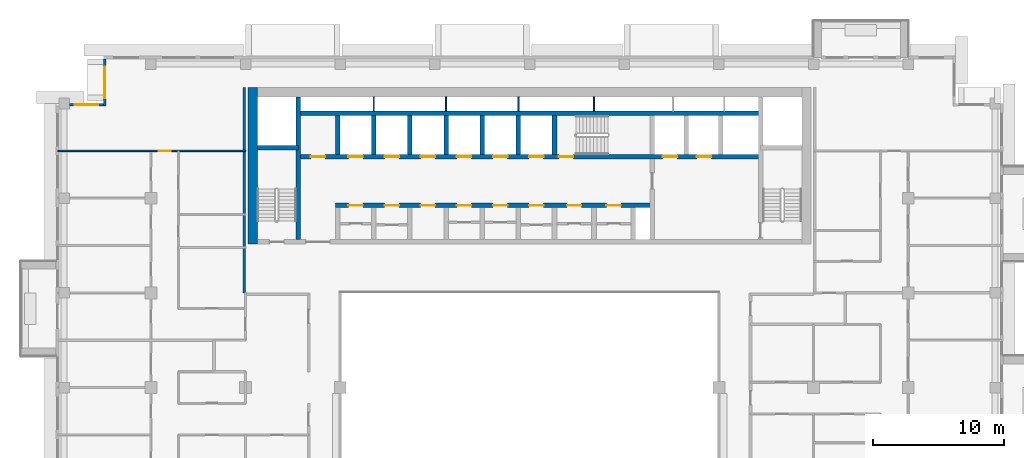
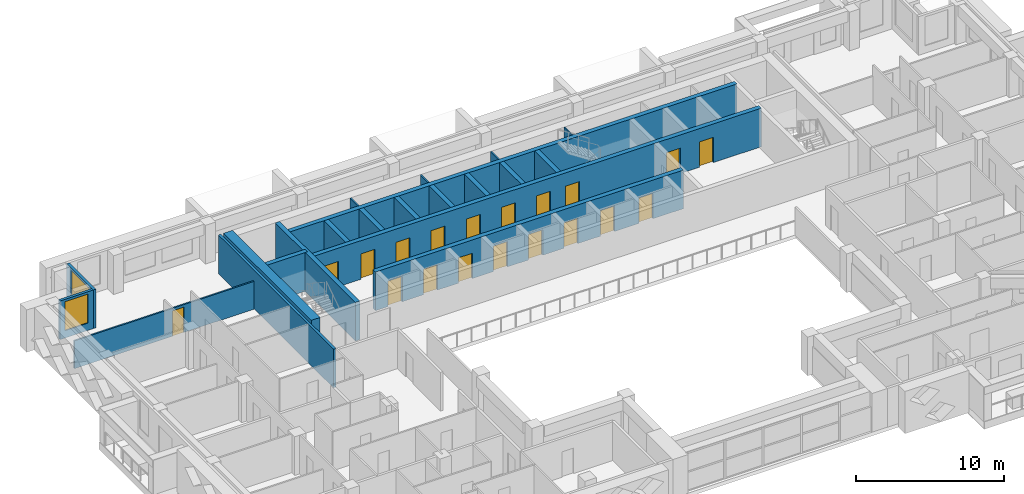
# One storey, part 10 of 20: 21 walls, 19 doors, 2 windows, 21 openings.
"""IFC4 building model written with IfcOpenShell, lengths in metres."""

from ifc_helpers import new_model, si_unit, direction, frame, frame_2d, origin, place, context, subcontext, project, spatial, rectangle, extrude, material, layer, layer_set, type_object, element, fill, save


model = new_model("IFC4")

# Units and contexts
model_context = context("Model", 3, precision=1e-05, world=origin(), true_north=direction((0.0, 1.0)))
body_context = subcontext(model_context, "Body", "Model", "MODEL_VIEW")
ifc_project = project(units=[si_unit("LENGTHUNIT", "METRE"), si_unit("AREAUNIT", "SQUARE_METRE"), si_unit("VOLUMEUNIT", "CUBIC_METRE"), si_unit("PLANEANGLEUNIT", "RADIAN"), si_unit("MASSUNIT", "GRAM", prefix="KILO")], contexts=[model_context])

# Site, building, storey
site_placement = place(None, origin())
site = spatial("IfcSite", under=ifc_project, at=site_placement, CompositionType="ELEMENT")
building_placement = place(site_placement, origin())
building = spatial("IfcBuilding", under=site, at=building_placement, Name="Saffron Iwan Residences", CompositionType="ELEMENT")
storey_placement = place(building_placement, frame((0.0, 0.0, 188.5)))
storey = spatial("IfcBuildingStorey", under=building, at=storey_placement, Name="L50", CompositionType="ELEMENT", Elevation=188.5)

# Wall, opening, window
ifc_material_1 = material(Name="Concrete C40/50", Category="concrete")
ifc_layer_1 = layer(ifc_material_1, 0.199951171875)
ifc_layer_set_1 = layer_set([ifc_layer_1], Name="Concrete C40/50")
wall_type_1 = type_object("IfcWallType", Name="EXTERNAL WALL 200", PredefinedType="SOLIDWALL", material=ifc_layer_set_1)
wall_1_placement = place(storey_placement, frame((18.10009765625, 80.199951171875, 0.0), z_axis=(0.0, 0.0, 1.0), x_axis=(0.0, -1.0, 0.0)))
wall_1 = element("IfcWall", 1, at=wall_1_placement, inside=storey, type_object=wall_type_1, Name="External wall L50 F6.0", PredefinedType="SOLIDWALL", context=body_context, shape_type="SweptSolid", body=[
    extrude(rectangle(XDim=3.599853515625, YDim=0.199951171875, at=frame_2d((1.7998046875, 0.0))), origin(), (0.0, 0.0, 1.0), 3.199951171875),
])
opening_1_placement = place(wall_1_placement, frame((0.60009765625, 0.0, 0.60009765625)))
opening_1 = element("IfcOpeningElement", 2, at=opening_1_placement, cuts=wall_1, Name="Opening W1", PredefinedType="OPENING", context=body_context, shape_type="SweptSolid", body=[
    extrude(rectangle(XDim=2.39990234375, YDim=2.39990234375, at=frame_2d((1.199951171875, 1.199951171875))), frame((0.0, 0.10986328125, 0.0), z_axis=(0.0, -1.0, 0.0), x_axis=(1.0, 0.0, 0.0)), (0.0, 0.0, 1.0), 0.219970703125),
])
ifc_material_2 = material(Name="Clear glass, laminated double glazed", Category="glass")
window_type_1 = type_object("IfcWindowType", Name="WINDOW 2400 x 2400", PartitioningType="DOUBLE_PANEL_VERTICAL", PredefinedType="WINDOW", material=ifc_material_2)
window_1_placement = place(opening_1_placement, origin())
window_1 = element("IfcWindow", 3, at=window_1_placement, inside=storey, type_object=window_type_1, Name="Window L50 F6.0", OverallHeight=2.39990234375, OverallWidth=2.39990234375, PartitioningType="DOUBLE_PANEL_VERTICAL", PredefinedType="WINDOW", context=body_context, shape_type="SweptSolid", body=[
    extrude(rectangle(XDim=2.39990234375, YDim=2.39990234375, at=frame_2d((1.199951171875, 1.199951171875))), frame((0.0, 0.030029296875, 0.0), z_axis=(0.0, -1.0, 0.0), x_axis=(1.0, 0.0, 0.0)), (0.0, 0.0, 1.0), 0.06005859375),
])
fill(opening_1, window_1)

wall_2_placement = place(storey_placement, frame((18.0, 76.699951171875, 0.0), z_axis=(0.0, 0.0, 1.0), x_axis=(-1.0, 0.0, 0.0)))
wall_2 = element("IfcWall", 4, at=wall_2_placement, inside=storey, type_object=wall_type_1, Name="External wall L50 F7.0", PredefinedType="SOLIDWALL", context=body_context, shape_type="SweptSolid", body=[
    extrude(rectangle(XDim=2.60009765625, YDim=0.199951171875, at=frame_2d((1.300048828125, 0.0))), origin(), (0.0, 0.0, 1.0), 3.199951171875),
])
opening_2_placement = place(wall_2_placement, frame((0.39990234375, 0.0, 0.60009765625)))
opening_2 = element("IfcOpeningElement", 5, at=opening_2_placement, cuts=wall_2, Name="Opening W8", PredefinedType="OPENING", context=body_context, shape_type="SweptSolid", body=[
    extrude(rectangle(XDim=1.800048828125, YDim=2.39990234375, at=frame_2d((0.89990234375, 1.199951171875))), frame((0.0, 0.10986328125, 0.0), z_axis=(0.0, -1.0, 0.0), x_axis=(1.0, 0.0, 0.0)), (0.0, 0.0, 1.0), 0.219970703125),
])
window_type_2 = type_object("IfcWindowType", Name="WINDOW 1800 x 2400", PartitioningType="DOUBLE_PANEL_VERTICAL", PredefinedType="WINDOW", material=ifc_material_2)
window_2_placement = place(opening_2_placement, origin())
window_2 = element("IfcWindow", 6, at=window_2_placement, inside=storey, type_object=window_type_2, Name="Window L50 F7.0", OverallHeight=2.39990234375, OverallWidth=1.800048828125, PartitioningType="DOUBLE_PANEL_VERTICAL", PredefinedType="WINDOW", context=body_context, shape_type="SweptSolid", body=[
    extrude(rectangle(XDim=1.800048828125, YDim=2.39990234375, at=frame_2d((0.89990234375, 1.199951171875))), frame((0.0, 0.030029296875, 0.0), z_axis=(0.0, -1.0, 0.0), x_axis=(1.0, 0.0, 0.0)), (0.0, 0.0, 1.0), 0.06005859375),
])
fill(opening_2, window_2)

# Wall, opening, door
ifc_material_3 = material(Name="Gypsum board partition")
ifc_layer_2 = layer(ifc_material_3, 0.1201171875)
ifc_layer_set_2 = layer_set([ifc_layer_2], Name="Gypsum board partition")
wall_type_2 = type_object("IfcWallType", Name="Flat partition 120", PredefinedType="PARTITIONING", material=ifc_layer_set_2)
wall_3_placement = place(storey_placement, frame((14.52490234375, 73.199951171875, 0.0), z_axis=(0.0, 0.0, 1.0), x_axis=(1.0, 0.0, 0.0)))
wall_3 = element("IfcWall", 7, at=wall_3_placement, inside=storey, type_object=wall_type_2, Name="W-L50-PART-h73.2-14.525", PredefinedType="PARTITIONING", context=body_context, shape_type="SweptSolid", body=[
    extrude(rectangle(XDim=14.275146484375, YDim=0.1201171875, at=frame_2d((7.1376953125, 0.0))), origin(), (0.0, 0.0, 1.0), 2.300048828125),
])
opening_3_placement = place(wall_3_placement, frame((7.675048828125, 0.0, 0.0)))
opening_3 = element("IfcOpeningElement", 8, at=opening_3_placement, cuts=wall_3, Name="Opening FD2", PredefinedType="OPENING", context=body_context, shape_type="SweptSolid", body=[
    extrude(rectangle(XDim=0.89990234375, YDim=2.10009765625, at=frame_2d((0.449951171875, 1.050048828125))), frame((0.0, 0.070068359375, 0.0), z_axis=(0.0, -1.0, 0.0), x_axis=(1.0, 0.0, 0.0)), (0.0, 0.0, 1.0), 0.14013671875),
])
ifc_material_4 = material(Name="Timber door", Category="wood")
door_type_1 = type_object("IfcDoorType", Name="Flat door 900", OperationType="NOTDEFINED", PredefinedType="DOOR", material=ifc_material_4)
door_1_placement = place(opening_3_placement, origin())
door_1 = element("IfcDoor", 9, at=door_1_placement, inside=storey, type_object=door_type_1, Name="Door L50-030", OperationType="SINGLE_SWING_LEFT", OverallHeight=2.10009765625, OverallWidth=0.89990234375, PredefinedType="DOOR", context=body_context, shape_type="SweptSolid", body=[
    extrude(rectangle(XDim=0.89990234375, YDim=2.10009765625, at=frame_2d((0.449951171875, 1.050048828125))), frame((0.0, 0.02490234375, 0.0), z_axis=(0.0, -1.0, 0.0), x_axis=(1.0, 0.0, 0.0)), (0.0, 0.0, 1.0), 0.050048828125),
])
fill(opening_3, door_1)

# Walls
ifc_material_5 = material(Name="Fire-rated gypsum board wall")
ifc_layer_3 = layer(ifc_material_5, 0.199951171875)
ifc_layer_set_3 = layer_set([ifc_layer_3], Name="Fire-rated gypsum board wall")
wall_type_3 = type_object("IfcWallType", Name="Gallery wall 200", PredefinedType="SOLIDWALL", material=ifc_layer_set_3)
wall_4_placement = place(storey_placement, frame((28.699951171875, 62.39990234375, 0.0), z_axis=(0.0, 0.0, 1.0), x_axis=(0.0, 1.0, 0.0)))
element("IfcWall", 10, at=wall_4_placement, inside=storey, type_object=wall_type_3, Name="W-L50-CORR-v28.8-62.4", PredefinedType="SOLIDWALL", context=body_context, shape_type="SweptSolid", body=[
    extrude(rectangle(XDim=15.60009765625, YDim=0.199951171875, at=frame_2d((7.800048828125, 0.0))), origin(), (0.0, 0.0, 1.0), 3.199951171875),
])
ifc_material_6 = material(Name="Fire-rated plasterboard partition")
ifc_layer_4 = layer(ifc_material_6, 0.10009765625)
ifc_layer_set_4 = layer_set([ifc_layer_4], Name="Fire-rated plasterboard partition")
wall_type_4 = type_object("IfcWallType", Name="Riser partition 100", PredefinedType="PARTITIONING", material=ifc_layer_set_4)
for number, where, z_axis, x_axis, name in (
    (11, (38.550048828125, 76.22509765625, 0.0), (0.0, 0.0, 1.0), (0.0, 1.0, 0.0), "Core partition P08"),
    (12, (44.050048828125, 76.22509765625, 0.0), (0.0, 0.0, 1.0), (0.0, 1.0, 0.0), "Core partition P09"),
    (13, (49.550048828125, 76.22509765625, 0.0), (0.0, 0.0, 1.0), (0.0, 1.0, 0.0), "Core partition P10"),
    (14, (55.300048828125, 76.22509765625, 0.0), (0.0, 0.0, 1.0), (0.0, 1.0, 0.0), "Core partition P11"),
):
    element("IfcWall", number, at=place(storey_placement, frame(where, z_axis=z_axis, x_axis=x_axis)), inside=storey, type_object=wall_type_4, Name=name, PredefinedType="PARTITIONING", context=body_context, shape_type="SweptSolid", body=[
        extrude(rectangle(XDim=1.074951171875, YDim=0.10009765625, at=frame_2d((0.53759765625, 0.0))), origin(), (0.0, 0.0, 1.0), 3.199951171875),
    ])

# Wall, openings, doors
ifc_material_7 = material(Name="Concrete C50/60", Category="concrete")
ifc_layer_5 = layer(ifc_material_7, 0.35009765625)
ifc_layer_set_5 = layer_set([ifc_layer_5], Name="Concrete C50/60")
wall_type_5 = type_object("IfcWallType", Name="WALL CORE 350 C50/60 3200 HIGH", PredefinedType="SHEAR", material=ifc_layer_set_5)
wall_5_placement = place(storey_placement, frame((35.625, 69.050048828125, 0.0), z_axis=(0.0, 0.0, 1.0), x_axis=(1.0, 0.0, 0.0)))
wall_5 = element("IfcWall", 15, at=wall_5_placement, inside=storey, type_object=wall_type_5, Name="Core wall", PredefinedType="SHEAR", context=body_context, shape_type="SweptSolid", body=[
    extrude(rectangle(XDim=24.10009765625, YDim=0.35009765625, at=frame_2d((12.050048828125, 0.0))), origin(), (0.0, 0.0, 1.0), 3.199951171875),
])
opening_4_placement = place(wall_5_placement, frame((1.0, 0.0, 0.0)))
opening_4 = element("IfcOpeningElement", 16, at=opening_4_placement, cuts=wall_5, Name="Opening SR", PredefinedType="OPENING", context=body_context, shape_type="SweptSolid", body=[
    extrude(rectangle(XDim=1.10009765625, YDim=2.10009765625, at=frame_2d((0.550048828125, 1.050048828125))), frame((0.0, 0.18505859375, 0.0), z_axis=(0.0, -1.0, 0.0), x_axis=(1.0, 0.0, 0.0)), (0.0, 0.0, 1.0), 0.3701171875),
])
opening_5_placement = place(wall_5_placement, frame((3.75, 0.0, 0.0)))
opening_5 = element("IfcOpeningElement", 17, at=opening_5_placement, cuts=wall_5, Name="Opening SR", PredefinedType="OPENING", context=body_context, shape_type="SweptSolid", body=[
    extrude(rectangle(XDim=1.10009765625, YDim=2.10009765625, at=frame_2d((0.550048828125, 1.050048828125))), frame((0.0, 0.18505859375, 0.0), z_axis=(0.0, -1.0, 0.0), x_axis=(1.0, 0.0, 0.0)), (0.0, 0.0, 1.0), 0.3701171875),
])
opening_6_placement = place(wall_5_placement, frame((6.5, 0.0, 0.0)))
opening_6 = element("IfcOpeningElement", 18, at=opening_6_placement, cuts=wall_5, Name="Opening SR", PredefinedType="OPENING", context=body_context, shape_type="SweptSolid", body=[
    extrude(rectangle(XDim=1.10009765625, YDim=2.10009765625, at=frame_2d((0.550048828125, 1.050048828125))), frame((0.0, 0.18505859375, 0.0), z_axis=(0.0, -1.0, 0.0), x_axis=(1.0, 0.0, 0.0)), (0.0, 0.0, 1.0), 0.3701171875),
])
opening_7_placement = place(wall_5_placement, frame((9.25, 0.0, 0.0)))
opening_7 = element("IfcOpeningElement", 19, at=opening_7_placement, cuts=wall_5, Name="Opening SR", PredefinedType="OPENING", context=body_context, shape_type="SweptSolid", body=[
    extrude(rectangle(XDim=1.10009765625, YDim=2.10009765625, at=frame_2d((0.550048828125, 1.050048828125))), frame((0.0, 0.18505859375, 0.0), z_axis=(0.0, -1.0, 0.0), x_axis=(1.0, 0.0, 0.0)), (0.0, 0.0, 1.0), 0.3701171875),
])
opening_8_placement = place(wall_5_placement, frame((12.0, 0.0, 0.0)))
opening_8 = element("IfcOpeningElement", 20, at=opening_8_placement, cuts=wall_5, Name="Opening SR", PredefinedType="OPENING", context=body_context, shape_type="SweptSolid", body=[
    extrude(rectangle(XDim=1.10009765625, YDim=2.10009765625, at=frame_2d((0.550048828125, 1.050048828125))), frame((0.0, 0.18505859375, 0.0), z_axis=(0.0, -1.0, 0.0), x_axis=(1.0, 0.0, 0.0)), (0.0, 0.0, 1.0), 0.3701171875),
])
opening_9_placement = place(wall_5_placement, frame((14.75, 0.0, 0.0)))
opening_9 = element("IfcOpeningElement", 21, at=opening_9_placement, cuts=wall_5, Name="Opening SR", PredefinedType="OPENING", context=body_context, shape_type="SweptSolid", body=[
    extrude(rectangle(XDim=1.10009765625, YDim=2.10009765625, at=frame_2d((0.550048828125, 1.050048828125))), frame((0.0, 0.18505859375, 0.0), z_axis=(0.0, -1.0, 0.0), x_axis=(1.0, 0.0, 0.0)), (0.0, 0.0, 1.0), 0.3701171875),
])
opening_10_placement = place(wall_5_placement, frame((17.625, 0.0, 0.0)))
opening_10 = element("IfcOpeningElement", 22, at=opening_10_placement, cuts=wall_5, Name="Opening SR", PredefinedType="OPENING", context=body_context, shape_type="SweptSolid", body=[
    extrude(rectangle(XDim=1.10009765625, YDim=2.10009765625, at=frame_2d((0.550048828125, 1.050048828125))), frame((0.0, 0.18505859375, 0.0), z_axis=(0.0, -1.0, 0.0), x_axis=(1.0, 0.0, 0.0)), (0.0, 0.0, 1.0), 0.3701171875),
])
opening_11_placement = place(wall_5_placement, frame((20.625, 0.0, 0.0)))
opening_11 = element("IfcOpeningElement", 23, at=opening_11_placement, cuts=wall_5, Name="Opening SR", PredefinedType="OPENING", context=body_context, shape_type="SweptSolid", body=[
    extrude(rectangle(XDim=1.10009765625, YDim=2.10009765625, at=frame_2d((0.550048828125, 1.050048828125))), frame((0.0, 0.18505859375, 0.0), z_axis=(0.0, -1.0, 0.0), x_axis=(1.0, 0.0, 0.0)), (0.0, 0.0, 1.0), 0.3701171875),
])
ifc_material_8 = material(Name="Steel fire door", Category="steel")
door_type_2 = type_object("IfcDoorType", Name="Service door 1100", OperationType="NOTDEFINED", PredefinedType="DOOR", material=ifc_material_8)
door_2_placement = place(opening_4_placement, origin())
door_2 = element("IfcDoor", 24, at=door_2_placement, inside=storey, type_object=door_type_2, Name="Door Trolley store", OperationType="SINGLE_SWING_RIGHT", OverallHeight=2.10009765625, OverallWidth=1.10009765625, PredefinedType="DOOR", context=body_context, shape_type="SweptSolid", body=[
    extrude(rectangle(XDim=1.10009765625, YDim=2.10009765625, at=frame_2d((0.550048828125, 1.050048828125))), frame((0.0, 0.02490234375, 0.0), z_axis=(0.0, -1.0, 0.0), x_axis=(1.0, 0.0, 0.0)), (0.0, 0.0, 1.0), 0.050048828125),
])
fill(opening_4, door_2)
door_3_placement = place(opening_5_placement, origin())
door_3 = element("IfcDoor", 25, at=door_3_placement, inside=storey, type_object=door_type_2, Name="Door Communications room", OperationType="SINGLE_SWING_LEFT", OverallHeight=2.10009765625, OverallWidth=1.10009765625, PredefinedType="DOOR", context=body_context, shape_type="SweptSolid", body=[
    extrude(rectangle(XDim=1.10009765625, YDim=2.10009765625, at=frame_2d((0.550048828125, 1.050048828125))), frame((0.0, 0.02490234375, 0.0), z_axis=(0.0, -1.0, 0.0), x_axis=(1.0, 0.0, 0.0)), (0.0, 0.0, 1.0), 0.050048828125),
])
fill(opening_5, door_3)
door_4_placement = place(opening_6_placement, origin())
door_4 = element("IfcDoor", 26, at=door_4_placement, inside=storey, type_object=door_type_2, Name="Door Switch room", OperationType="SINGLE_SWING_RIGHT", OverallHeight=2.10009765625, OverallWidth=1.10009765625, PredefinedType="DOOR", context=body_context, shape_type="SweptSolid", body=[
    extrude(rectangle(XDim=1.10009765625, YDim=2.10009765625, at=frame_2d((0.550048828125, 1.050048828125))), frame((0.0, 0.02490234375, 0.0), z_axis=(0.0, -1.0, 0.0), x_axis=(1.0, 0.0, 0.0)), (0.0, 0.0, 1.0), 0.050048828125),
])
fill(opening_6, door_4)
door_5_placement = place(opening_7_placement, origin())
door_5 = element("IfcDoor", 27, at=door_5_placement, inside=storey, type_object=door_type_2, Name="Door Furniture store", OperationType="SINGLE_SWING_LEFT", OverallHeight=2.10009765625, OverallWidth=1.10009765625, PredefinedType="DOOR", context=body_context, shape_type="SweptSolid", body=[
    extrude(rectangle(XDim=1.10009765625, YDim=2.10009765625, at=frame_2d((0.550048828125, 1.050048828125))), frame((0.0, 0.02490234375, 0.0), z_axis=(0.0, -1.0, 0.0), x_axis=(1.0, 0.0, 0.0)), (0.0, 0.0, 1.0), 0.050048828125),
])
fill(opening_7, door_5)
door_6_placement = place(opening_8_placement, origin())
door_6 = element("IfcDoor", 28, at=door_6_placement, inside=storey, type_object=door_type_2, Name="Door Housekeeping store", OperationType="SINGLE_SWING_RIGHT", OverallHeight=2.10009765625, OverallWidth=1.10009765625, PredefinedType="DOOR", context=body_context, shape_type="SweptSolid", body=[
    extrude(rectangle(XDim=1.10009765625, YDim=2.10009765625, at=frame_2d((0.550048828125, 1.050048828125))), frame((0.0, 0.02490234375, 0.0), z_axis=(0.0, -1.0, 0.0), x_axis=(1.0, 0.0, 0.0)), (0.0, 0.0, 1.0), 0.050048828125),
])
fill(opening_8, door_6)
door_7_placement = place(opening_9_placement, origin())
door_7 = element("IfcDoor", 29, at=door_7_placement, inside=storey, type_object=door_type_2, Name="Door Cleaner's store", OperationType="SINGLE_SWING_LEFT", OverallHeight=2.10009765625, OverallWidth=1.10009765625, PredefinedType="DOOR", context=body_context, shape_type="SweptSolid", body=[
    extrude(rectangle(XDim=1.10009765625, YDim=2.10009765625, at=frame_2d((0.550048828125, 1.050048828125))), frame((0.0, 0.02490234375, 0.0), z_axis=(0.0, -1.0, 0.0), x_axis=(1.0, 0.0, 0.0)), (0.0, 0.0, 1.0), 0.050048828125),
])
fill(opening_9, door_7)
door_8_placement = place(opening_10_placement, origin())
door_8 = element("IfcDoor", 30, at=door_8_placement, inside=storey, type_object=door_type_2, Name="Door Electrical room", OperationType="SINGLE_SWING_RIGHT", OverallHeight=2.10009765625, OverallWidth=1.10009765625, PredefinedType="DOOR", context=body_context, shape_type="SweptSolid", body=[
    extrude(rectangle(XDim=1.10009765625, YDim=2.10009765625, at=frame_2d((0.550048828125, 1.050048828125))), frame((0.0, 0.02490234375, 0.0), z_axis=(0.0, -1.0, 0.0), x_axis=(1.0, 0.0, 0.0)), (0.0, 0.0, 1.0), 0.050048828125),
])
fill(opening_10, door_8)
door_9_placement = place(opening_11_placement, origin())
door_9 = element("IfcDoor", 31, at=door_9_placement, inside=storey, type_object=door_type_2, Name="Door Luggage store", OperationType="SINGLE_SWING_RIGHT", OverallHeight=2.10009765625, OverallWidth=1.10009765625, PredefinedType="DOOR", context=body_context, shape_type="SweptSolid", body=[
    extrude(rectangle(XDim=1.10009765625, YDim=2.10009765625, at=frame_2d((0.550048828125, 1.050048828125))), frame((0.0, 0.02490234375, 0.0), z_axis=(0.0, -1.0, 0.0), x_axis=(1.0, 0.0, 0.0)), (0.0, 0.0, 1.0), 0.050048828125),
])
fill(opening_11, door_9)

wall_6_placement = place(storey_placement, frame((32.824951171875, 72.75, 0.0), z_axis=(0.0, 0.0, 1.0), x_axis=(1.0, 0.0, 0.0)))
wall_6 = element("IfcWall", 32, at=wall_6_placement, inside=storey, type_object=wall_type_5, Name="Core wall", PredefinedType="SHEAR", context=body_context, shape_type="SweptSolid", body=[
    extrude(rectangle(XDim=35.150146484375, YDim=0.35009765625, at=frame_2d((17.5751953125, 0.0))), origin(), (0.0, 0.0, 1.0), 3.199951171875),
])
opening_12_placement = place(wall_6_placement, frame((19.800048828125, 0.0, 0.0)))
opening_12 = element("IfcOpeningElement", 33, at=opening_12_placement, cuts=wall_6, Name="Opening SD", PredefinedType="OPENING", context=body_context, shape_type="SweptSolid", body=[
    extrude(rectangle(XDim=1.10009765625, YDim=2.10009765625, at=frame_2d((0.550048828125, 1.050048828125))), frame((0.0, 0.18505859375, 0.0), z_axis=(0.0, -1.0, 0.0), x_axis=(1.0, 0.0, 0.0)), (0.0, 0.0, 1.0), 0.3701171875),
])
opening_13_placement = place(wall_6_placement, frame((27.699951171875, 0.0, 0.0)))
opening_13 = element("IfcOpeningElement", 34, at=opening_13_placement, cuts=wall_6, Name="Opening LD", PredefinedType="OPENING", context=body_context, shape_type="SweptSolid", body=[
    extrude(rectangle(XDim=1.10009765625, YDim=2.10009765625, at=frame_2d((0.550048828125, 1.050048828125))), frame((0.0, 0.18505859375, 0.0), z_axis=(0.0, -1.0, 0.0), x_axis=(1.0, 0.0, 0.0)), (0.0, 0.0, 1.0), 0.3701171875),
])
opening_14_placement = place(wall_6_placement, frame((30.300048828125, 0.0, 0.0)))
opening_14 = element("IfcOpeningElement", 35, at=opening_14_placement, cuts=wall_6, Name="Opening LD", PredefinedType="OPENING", context=body_context, shape_type="SweptSolid", body=[
    extrude(rectangle(XDim=1.10009765625, YDim=2.10009765625, at=frame_2d((0.550048828125, 1.050048828125))), frame((0.0, 0.18505859375, 0.0), z_axis=(0.0, -1.0, 0.0), x_axis=(1.0, 0.0, 0.0)), (0.0, 0.0, 1.0), 0.3701171875),
])
opening_15_placement = place(wall_6_placement, frame((3.800048828125, 0.0, 0.0)))
opening_15 = element("IfcOpeningElement", 36, at=opening_15_placement, cuts=wall_6, Name="Opening LD", PredefinedType="OPENING", context=body_context, shape_type="SweptSolid", body=[
    extrude(rectangle(XDim=1.10009765625, YDim=2.10009765625, at=frame_2d((0.550048828125, 1.050048828125))), frame((0.0, 0.18505859375, 0.0), z_axis=(0.0, -1.0, 0.0), x_axis=(1.0, 0.0, 0.0)), (0.0, 0.0, 1.0), 0.3701171875),
])
opening_16_placement = place(wall_6_placement, frame((6.550048828125, 0.0, 0.0)))
opening_16 = element("IfcOpeningElement", 37, at=opening_16_placement, cuts=wall_6, Name="Opening LD", PredefinedType="OPENING", context=body_context, shape_type="SweptSolid", body=[
    extrude(rectangle(XDim=1.10009765625, YDim=2.10009765625, at=frame_2d((0.550048828125, 1.050048828125))), frame((0.0, 0.18505859375, 0.0), z_axis=(0.0, -1.0, 0.0), x_axis=(1.0, 0.0, 0.0)), (0.0, 0.0, 1.0), 0.3701171875),
])
opening_17_placement = place(wall_6_placement, frame((9.300048828125, 0.0, 0.0)))
opening_17 = element("IfcOpeningElement", 38, at=opening_17_placement, cuts=wall_6, Name="Opening LD", PredefinedType="OPENING", context=body_context, shape_type="SweptSolid", body=[
    extrude(rectangle(XDim=1.10009765625, YDim=2.10009765625, at=frame_2d((0.550048828125, 1.050048828125))), frame((0.0, 0.18505859375, 0.0), z_axis=(0.0, -1.0, 0.0), x_axis=(1.0, 0.0, 0.0)), (0.0, 0.0, 1.0), 0.3701171875),
])
opening_18_placement = place(wall_6_placement, frame((12.050048828125, 0.0, 0.0)))
opening_18 = element("IfcOpeningElement", 39, at=opening_18_placement, cuts=wall_6, Name="Opening LD", PredefinedType="OPENING", context=body_context, shape_type="SweptSolid", body=[
    extrude(rectangle(XDim=1.10009765625, YDim=2.10009765625, at=frame_2d((0.550048828125, 1.050048828125))), frame((0.0, 0.18505859375, 0.0), z_axis=(0.0, -1.0, 0.0), x_axis=(1.0, 0.0, 0.0)), (0.0, 0.0, 1.0), 0.3701171875),
])
opening_19_placement = place(wall_6_placement, frame((14.800048828125, 0.0, 0.0)))
opening_19 = element("IfcOpeningElement", 40, at=opening_19_placement, cuts=wall_6, Name="Opening LD", PredefinedType="OPENING", context=body_context, shape_type="SweptSolid", body=[
    extrude(rectangle(XDim=1.10009765625, YDim=2.10009765625, at=frame_2d((0.550048828125, 1.050048828125))), frame((0.0, 0.18505859375, 0.0), z_axis=(0.0, -1.0, 0.0), x_axis=(1.0, 0.0, 0.0)), (0.0, 0.0, 1.0), 0.3701171875),
])
opening_20_placement = place(wall_6_placement, frame((17.550048828125, 0.0, 0.0)))
opening_20 = element("IfcOpeningElement", 41, at=opening_20_placement, cuts=wall_6, Name="Opening LD", PredefinedType="OPENING", context=body_context, shape_type="SweptSolid", body=[
    extrude(rectangle(XDim=1.10009765625, YDim=2.10009765625, at=frame_2d((0.550048828125, 1.050048828125))), frame((0.0, 0.18505859375, 0.0), z_axis=(0.0, -1.0, 0.0), x_axis=(1.0, 0.0, 0.0)), (0.0, 0.0, 1.0), 0.3701171875),
])
opening_21_placement = place(wall_6_placement, frame((0.9375, 0.0, 0.0)))
opening_21 = element("IfcOpeningElement", 42, at=opening_21_placement, cuts=wall_6, Name="Opening SR", PredefinedType="OPENING", context=body_context, shape_type="SweptSolid", body=[
    extrude(rectangle(XDim=1.10009765625, YDim=2.10009765625, at=frame_2d((0.550048828125, 1.050048828125))), frame((0.0, 0.18505859375, 0.0), z_axis=(0.0, -1.0, 0.0), x_axis=(1.0, 0.0, 0.0)), (0.0, 0.0, 1.0), 0.3701171875),
])
door_type_3 = type_object("IfcDoorType", Name="Lift landing door 1100", OperationType="SLIDING_TO_LEFT", PredefinedType="DOOR", material=ifc_material_8)
door_10_placement = place(opening_13_placement, origin())
door_10 = element("IfcDoor", 43, at=door_10_placement, inside=storey, type_object=door_type_3, Name="Landing doors FF1", OperationType="SLIDING_TO_LEFT", OverallHeight=2.10009765625, OverallWidth=1.10009765625, PredefinedType="DOOR", context=body_context, shape_type="SweptSolid", body=[
    extrude(rectangle(XDim=1.10009765625, YDim=2.10009765625, at=frame_2d((0.550048828125, 1.050048828125))), frame((0.0, 0.02490234375, 0.0), z_axis=(0.0, -1.0, 0.0), x_axis=(1.0, 0.0, 0.0)), (0.0, 0.0, 1.0), 0.050048828125),
])
fill(opening_13, door_10)
door_11_placement = place(opening_14_placement, origin())
door_11 = element("IfcDoor", 44, at=door_11_placement, inside=storey, type_object=door_type_3, Name="Landing doors FF2", OperationType="SLIDING_TO_LEFT", OverallHeight=2.10009765625, OverallWidth=1.10009765625, PredefinedType="DOOR", context=body_context, shape_type="SweptSolid", body=[
    extrude(rectangle(XDim=1.10009765625, YDim=2.10009765625, at=frame_2d((0.550048828125, 1.050048828125))), frame((0.0, 0.02490234375, 0.0), z_axis=(0.0, -1.0, 0.0), x_axis=(1.0, 0.0, 0.0)), (0.0, 0.0, 1.0), 0.050048828125),
])
fill(opening_14, door_11)
door_12_placement = place(opening_15_placement, origin())
door_12 = element("IfcDoor", 45, at=door_12_placement, inside=storey, type_object=door_type_3, Name="Landing doors HR1", OperationType="SLIDING_TO_LEFT", OverallHeight=2.10009765625, OverallWidth=1.10009765625, PredefinedType="DOOR", context=body_context, shape_type="SweptSolid", body=[
    extrude(rectangle(XDim=1.10009765625, YDim=2.10009765625, at=frame_2d((0.550048828125, 1.050048828125))), frame((0.0, 0.02490234375, 0.0), z_axis=(0.0, -1.0, 0.0), x_axis=(1.0, 0.0, 0.0)), (0.0, 0.0, 1.0), 0.050048828125),
])
fill(opening_15, door_12)
door_13_placement = place(opening_16_placement, origin())
door_13 = element("IfcDoor", 46, at=door_13_placement, inside=storey, type_object=door_type_3, Name="Landing doors HR2", OperationType="SLIDING_TO_LEFT", OverallHeight=2.10009765625, OverallWidth=1.10009765625, PredefinedType="DOOR", context=body_context, shape_type="SweptSolid", body=[
    extrude(rectangle(XDim=1.10009765625, YDim=2.10009765625, at=frame_2d((0.550048828125, 1.050048828125))), frame((0.0, 0.02490234375, 0.0), z_axis=(0.0, -1.0, 0.0), x_axis=(1.0, 0.0, 0.0)), (0.0, 0.0, 1.0), 0.050048828125),
])
fill(opening_16, door_13)
door_14_placement = place(opening_17_placement, origin())
door_14 = element("IfcDoor", 47, at=door_14_placement, inside=storey, type_object=door_type_3, Name="Landing doors HR3", OperationType="SLIDING_TO_LEFT", OverallHeight=2.10009765625, OverallWidth=1.10009765625, PredefinedType="DOOR", context=body_context, shape_type="SweptSolid", body=[
    extrude(rectangle(XDim=1.10009765625, YDim=2.10009765625, at=frame_2d((0.550048828125, 1.050048828125))), frame((0.0, 0.02490234375, 0.0), z_axis=(0.0, -1.0, 0.0), x_axis=(1.0, 0.0, 0.0)), (0.0, 0.0, 1.0), 0.050048828125),
])
fill(opening_17, door_14)
door_15_placement = place(opening_18_placement, origin())
door_15 = element("IfcDoor", 48, at=door_15_placement, inside=storey, type_object=door_type_3, Name="Landing doors HR4", OperationType="SLIDING_TO_LEFT", OverallHeight=2.10009765625, OverallWidth=1.10009765625, PredefinedType="DOOR", context=body_context, shape_type="SweptSolid", body=[
    extrude(rectangle(XDim=1.10009765625, YDim=2.10009765625, at=frame_2d((0.550048828125, 1.050048828125))), frame((0.0, 0.02490234375, 0.0), z_axis=(0.0, -1.0, 0.0), x_axis=(1.0, 0.0, 0.0)), (0.0, 0.0, 1.0), 0.050048828125),
])
fill(opening_18, door_15)
door_16_placement = place(opening_19_placement, origin())
door_16 = element("IfcDoor", 49, at=door_16_placement, inside=storey, type_object=door_type_3, Name="Landing doors HR5", OperationType="SLIDING_TO_LEFT", OverallHeight=2.10009765625, OverallWidth=1.10009765625, PredefinedType="DOOR", context=body_context, shape_type="SweptSolid", body=[
    extrude(rectangle(XDim=1.10009765625, YDim=2.10009765625, at=frame_2d((0.550048828125, 1.050048828125))), frame((0.0, 0.02490234375, 0.0), z_axis=(0.0, -1.0, 0.0), x_axis=(1.0, 0.0, 0.0)), (0.0, 0.0, 1.0), 0.050048828125),
])
fill(opening_19, door_16)
door_17_placement = place(opening_20_placement, origin())
door_17 = element("IfcDoor", 50, at=door_17_placement, inside=storey, type_object=door_type_3, Name="Landing doors HR6", OperationType="SLIDING_TO_LEFT", OverallHeight=2.10009765625, OverallWidth=1.10009765625, PredefinedType="DOOR", context=body_context, shape_type="SweptSolid", body=[
    extrude(rectangle(XDim=1.10009765625, YDim=2.10009765625, at=frame_2d((0.550048828125, 1.050048828125))), frame((0.0, 0.02490234375, 0.0), z_axis=(0.0, -1.0, 0.0), x_axis=(1.0, 0.0, 0.0)), (0.0, 0.0, 1.0), 0.050048828125),
])
fill(opening_20, door_17)
door_18_placement = place(opening_21_placement, origin())
door_18 = element("IfcDoor", 51, at=door_18_placement, inside=storey, type_object=door_type_2, Name="Door Cleaner's store", OperationType="SINGLE_SWING_LEFT", OverallHeight=2.10009765625, OverallWidth=1.10009765625, PredefinedType="DOOR", context=body_context, shape_type="SweptSolid", body=[
    extrude(rectangle(XDim=1.10009765625, YDim=2.10009765625, at=frame_2d((0.550048828125, 1.050048828125))), frame((0.0, 0.02490234375, 0.0), z_axis=(0.0, -1.0, 0.0), x_axis=(1.0, 0.0, 0.0)), (0.0, 0.0, 1.0), 0.050048828125),
])
fill(opening_21, door_18)
door_type_4 = type_object("IfcDoorType", Name="Stair door 1100", OperationType="NOTDEFINED", PredefinedType="DOOR", material=ifc_material_8)
door_19_placement = place(opening_12_placement, origin())
door_19 = element("IfcDoor", 52, at=door_19_placement, inside=storey, type_object=door_type_4, Name="Stair door ST-C", OperationType="SINGLE_SWING_LEFT", OverallHeight=2.10009765625, OverallWidth=1.10009765625, PredefinedType="DOOR", context=body_context, shape_type="SweptSolid", body=[
    extrude(rectangle(XDim=1.10009765625, YDim=2.10009765625, at=frame_2d((0.550048828125, 1.050048828125))), frame((0.0, 0.02490234375, 0.0), z_axis=(0.0, -1.0, 0.0), x_axis=(1.0, 0.0, 0.0)), (0.0, 0.0, 1.0), 0.050048828125),
])
fill(opening_12, door_19)

# Walls
wall_7_placement = place(storey_placement, frame((32.824951171875, 76.050048828125, 0.0), z_axis=(0.0, 0.0, 1.0), x_axis=(1.0, 0.0, 0.0)))
element("IfcWall", 53, at=wall_7_placement, inside=storey, type_object=wall_type_5, Name="Core wall", PredefinedType="SHEAR", context=body_context, shape_type="SweptSolid", body=[
    extrude(rectangle(XDim=35.150146484375, YDim=0.35009765625, at=frame_2d((17.5751953125, 0.0))), origin(), (0.0, 0.0, 1.0), 3.199951171875),
])
wall_8_placement = place(storey_placement, frame((29.699951171875, 73.425048828125, 0.0), z_axis=(0.0, 0.0, 1.0), x_axis=(1.0, 0.0, 0.0)))
element("IfcWall", 54, at=wall_8_placement, inside=storey, type_object=wall_type_5, Name="Core wall", PredefinedType="SHEAR", context=body_context, shape_type="SweptSolid", body=[
    extrude(rectangle(XDim=3.125, YDim=0.35009765625, at=frame_2d((1.5625, 0.0))), origin(), (0.0, 0.0, 1.0), 3.199951171875),
])
wall_9_placement = place(storey_placement, frame((32.824951171875, 66.449951171875, 0.0), z_axis=(0.0, 0.0, 1.0), x_axis=(0.0, 1.0, 0.0)))
element("IfcWall", 55, at=wall_9_placement, inside=storey, type_object=wall_type_5, Name="Core wall", PredefinedType="SHEAR", context=body_context, shape_type="SweptSolid", body=[
    extrude(rectangle(XDim=10.85009765625, YDim=0.35009765625, at=frame_2d((5.425048828125, 0.0))), origin(), (0.0, 0.0, 1.0), 3.199951171875),
])
for number, where, z_axis, x_axis, name in (
    (56, (35.800048828125, 72.925048828125, 0.0), (0.0, 0.0, 1.0), (0.0, 1.0, 0.0), "Core wall"),
    (57, (38.550048828125, 72.925048828125, 0.0), (0.0, 0.0, 1.0), (0.0, 1.0, 0.0), "Core wall"),
    (58, (41.300048828125, 72.925048828125, 0.0), (0.0, 0.0, 1.0), (0.0, 1.0, 0.0), "Core wall"),
    (59, (44.050048828125, 72.925048828125, 0.0), (0.0, 0.0, 1.0), (0.0, 1.0, 0.0), "Core wall"),
    (60, (46.800048828125, 72.925048828125, 0.0), (0.0, 0.0, 1.0), (0.0, 1.0, 0.0), "Core wall"),
    (61, (49.550048828125, 72.925048828125, 0.0), (0.0, 0.0, 1.0), (0.0, 1.0, 0.0), "Core wall"),
    (62, (52.300048828125, 72.925048828125, 0.0), (0.0, 0.0, 1.0), (0.0, 1.0, 0.0), "Core wall"),
):
    element("IfcWall", number, at=place(storey_placement, frame(where, z_axis=z_axis, x_axis=x_axis)), inside=storey, type_object=wall_type_5, Name=name, PredefinedType="SHEAR", context=body_context, shape_type="SweptSolid", body=[
        extrude(rectangle(XDim=2.949951171875, YDim=0.35009765625, at=frame_2d((1.47509765625, 0.0))), origin(), (0.0, 0.0, 1.0), 3.199951171875),
    ])
ifc_layer_6 = layer(ifc_material_7, 0.699951171875)
ifc_layer_set_6 = layer_set([ifc_layer_6], Name="Concrete C50/60")
wall_type_6 = type_object("IfcWallType", Name="WALL CORE 700 C50/60 3200 HIGH", PredefinedType="SHEAR", material=ifc_layer_set_6)
wall_10_placement = place(storey_placement, frame((29.35009765625, 66.10009765625, 0.0), z_axis=(0.0, 0.0, 1.0), x_axis=(0.0, 1.0, 0.0)))
element("IfcWall", 63, at=wall_10_placement, inside=storey, type_object=wall_type_6, Name="Core wall", PredefinedType="SHEAR", context=body_context, shape_type="SweptSolid", body=[
    extrude(rectangle(XDim=11.89990234375, YDim=0.699951171875, at=frame_2d((5.949951171875, 0.0))), origin(), (0.0, 0.0, 1.0), 3.199951171875),
])

save(model, "model.ifc")
